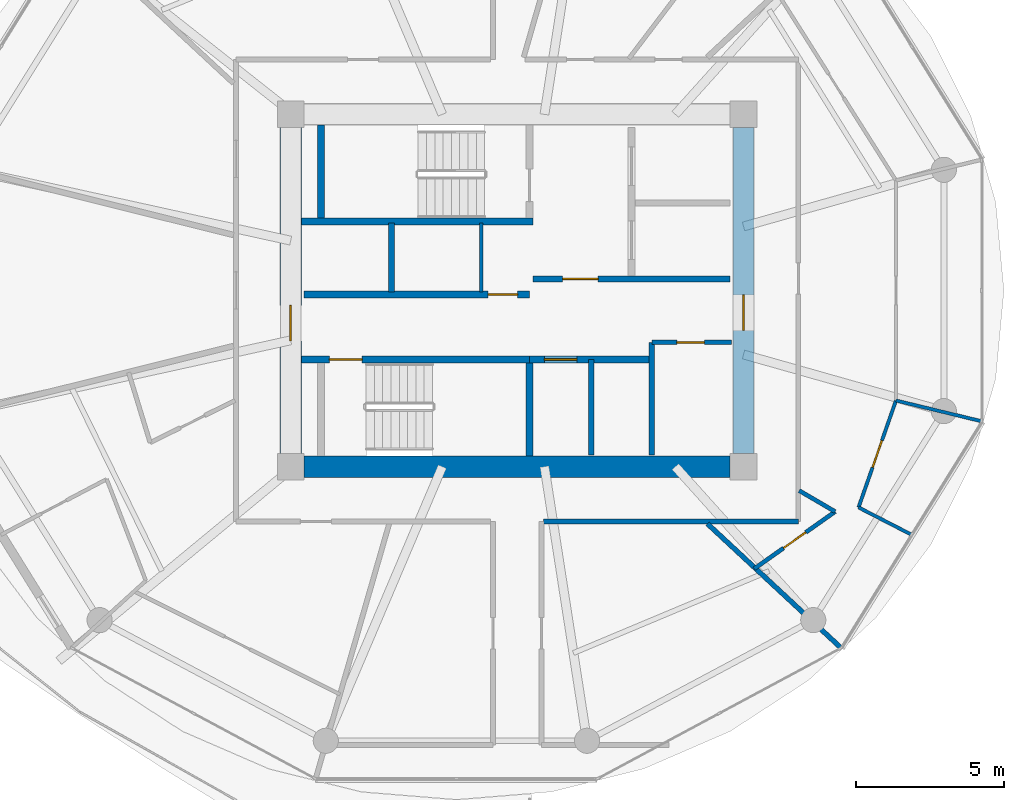
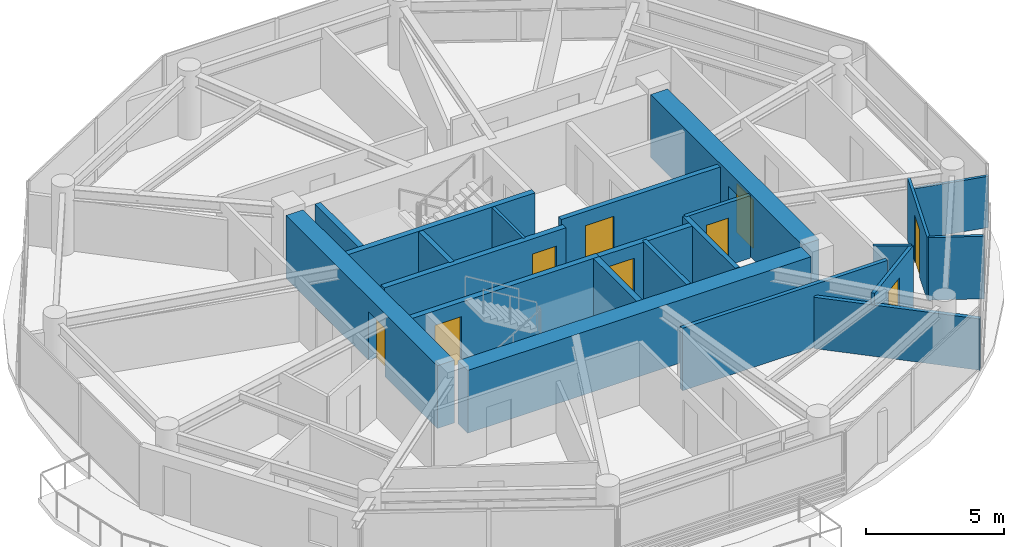
# One storey, part 18 of 23: 22 walls, 9 doors, 9 openings.
"""IFC4 building model written with IfcOpenShell, lengths in metres."""

from ifc_helpers import new_model, si_unit, direction, frame, frame_2d, origin, place, context, subcontext, project, spatial, rectangle, extrude, source, transform, mapped, material, layer, layer_set, type_object, type_shapes, element, fill, save


model = new_model("IFC4")

# Units and contexts
model_context = context("Model", 3, precision=1e-05, world=origin(), true_north=direction((0.0, 1.0)))
body_context = subcontext(model_context, "Body", "Model", "MODEL_VIEW")
ifc_project = project(units=[si_unit("LENGTHUNIT", "METRE"), si_unit("AREAUNIT", "SQUARE_METRE"), si_unit("VOLUMEUNIT", "CUBIC_METRE"), si_unit("PLANEANGLEUNIT", "RADIAN"), si_unit("MASSUNIT", "GRAM", prefix="KILO")], contexts=[model_context])

# Site, building, storey
site_placement = place(None, origin())
site = spatial("IfcSite", under=ifc_project, at=site_placement, CompositionType="ELEMENT")
building_placement = place(site_placement, origin())
building = spatial("IfcBuilding", under=site, at=building_placement, Name="Norrkilde Senior Care Towers", CompositionType="ELEMENT")
storey_placement = place(building_placement, frame((0.0, 0.0, 81.0)))
storey = spatial("IfcBuildingStorey", under=building, at=storey_placement, Name="L24", CompositionType="ELEMENT", Elevation=81.0)

# Wall
ifc_material_1 = material(Name="Concrete C60/75", Category="concrete")
ifc_layer_1 = layer(ifc_material_1, 0.719970703125)
ifc_layer_set_1 = layer_set([ifc_layer_1], Name="Concrete C60/75")
wall_type_1 = type_object("IfcWallType", Name="Core Shear Wall Z2 720", PredefinedType="SHEAR", material=ifc_layer_set_1)
shared_shape_1 = source(origin(), body_context, "Body", "SweptSolid", [
    extrude(rectangle(XDim=14.39990234375, YDim=0.719970703125, at=frame_2d((7.199951171875, 0.0))), origin(), (0.0, 0.0, 1.0), 2.7900390625),
])
wall_1_placement = place(storey_placement, frame((35.199951171875, -5.949951171875, 0.0), z_axis=(0.0, 0.0, 1.0), x_axis=(-1.0, 0.0, 0.0)))
element("IfcWall", 1, at=wall_1_placement, inside=storey, type_object=wall_type_1, Name="L24 Core E South Shear Wall", PredefinedType="SHEAR", context=body_context, shape_type="MappedRepresentation", body=[
    mapped(shared_shape_1, transform((0.0, 0.0, 0.0), x_axis=(1.0, 0.0, 0.0), y_axis=(0.0, 1.0, 0.0), z_axis=(0.0, 0.0, 1.0), scale=1.0)),
])

# Wall, opening, door
shared_shape_2 = source(origin(), body_context, "Body", "SweptSolid", [
    extrude(rectangle(XDim=11.0, YDim=0.719970703125, at=frame_2d((5.5, 0.0))), origin(), (0.0, 0.0, 1.0), 2.7900390625),
])
type_shapes(wall_type_1, [shared_shape_1, shared_shape_2])
wall_2_placement = place(storey_placement, frame((20.35009765625, -5.5, 0.0), z_axis=(0.0, 0.0, 1.0), x_axis=(0.0, 1.0, 0.0)))
wall_2 = element("IfcWall", 2, at=wall_2_placement, inside=storey, type_object=wall_type_1, Name="L24 Core E West Shear Wall", PredefinedType="SHEAR", context=body_context, shape_type="MappedRepresentation", body=[
    mapped(shared_shape_2, transform((0.0, 0.0, 0.0), x_axis=(1.0, 0.0, 0.0), y_axis=(0.0, 1.0, 0.0), z_axis=(0.0, 0.0, 1.0), scale=1.0)),
])
opening_1_placement = place(wall_2_placement, frame((3.800048828125, 0.0, 0.0)))
opening_1 = element("IfcOpeningElement", 3, at=opening_1_placement, cuts=wall_2, Name="Opening D-04", PredefinedType="OPENING", context=body_context, shape_type="SweptSolid", body=[
    extrude(rectangle(XDim=1.199951171875, YDim=2.14990234375, at=frame_2d((0.60009765625, 1.074951171875))), frame((0.0, 0.369873046875, 0.0), z_axis=(0.0, -1.0, 0.0), x_axis=(1.0, 0.0, 0.0)), (0.0, 0.0, 1.0), 0.739990234375),
])
ifc_material_2 = material(Name="Galvanised Painted Steel", Category="steel")
door_type_1 = type_object("IfcDoorType", Name="Firefighting Lobby Fire Door 1200x2150", OperationType="NOTDEFINED", PredefinedType="DOOR", material=ifc_material_2)
shared_shape_3 = source(origin(), body_context, "Body", "SweptSolid", [
    extrude(rectangle(XDim=1.199951171875, YDim=2.14990234375, at=frame_2d((0.60009765625, 1.074951171875))), frame((0.0, 0.02490234375, 0.0), z_axis=(0.0, -1.0, 0.0), x_axis=(1.0, 0.0, 0.0)), (0.0, 0.0, 1.0), 0.050048828125),
])
type_shapes(door_type_1, [shared_shape_3])
door_1_placement = place(opening_1_placement, frame((1.199951171875, 0.0, 0.0), z_axis=(0.0, 0.0, 1.0), x_axis=(-1.0, 0.0, 0.0)))
door_1 = element("IfcDoor", 4, at=door_1_placement, inside=storey, type_object=door_type_1, Name="L24 Core E West Portal Door", OperationType="SINGLE_SWING_LEFT", OverallHeight=2.14990234375, OverallWidth=1.199951171875, PredefinedType="DOOR", context=body_context, shape_type="MappedRepresentation", body=[
    mapped(shared_shape_3, transform((0.0, 0.0, 0.0), x_axis=(1.0, 0.0, 0.0), y_axis=(0.0, 1.0, 0.0), z_axis=(0.0, 0.0, 1.0), scale=1.0)),
])
fill(opening_1, door_1)

wall_3_placement = place(storey_placement, frame((35.64990234375, 5.5, 0.0), z_axis=(0.0, 0.0, 1.0), x_axis=(0.0, -1.0, 0.0)))
wall_3 = element("IfcWall", 5, at=wall_3_placement, inside=storey, type_object=wall_type_1, Name="L24 Core E East Shear Wall", PredefinedType="SHEAR", context=body_context, shape_type="MappedRepresentation", body=[
    mapped(shared_shape_2, transform((0.0, 0.0, 0.0), x_axis=(1.0, 0.0, 0.0), y_axis=(0.0, 1.0, 0.0), z_axis=(0.0, 0.0, 1.0), scale=1.0)),
])
opening_2_placement = place(wall_3_placement, frame((5.64990234375, 0.0, 0.0)))
opening_2 = element("IfcOpeningElement", 6, at=opening_2_placement, cuts=wall_3, Name="Opening D-04", PredefinedType="OPENING", context=body_context, shape_type="SweptSolid", body=[
    extrude(rectangle(XDim=1.199951171875, YDim=2.14990234375, at=frame_2d((0.60009765625, 1.074951171875))), frame((0.0, 0.369873046875, 0.0), z_axis=(0.0, -1.0, 0.0), x_axis=(1.0, 0.0, 0.0)), (0.0, 0.0, 1.0), 0.739990234375),
])
door_2_placement = place(opening_2_placement, frame((1.199951171875, 0.0, 0.0), z_axis=(0.0, 0.0, 1.0), x_axis=(-1.0, 0.0, 0.0)))
door_2 = element("IfcDoor", 7, at=door_2_placement, inside=storey, type_object=door_type_1, Name="L24 Core E East Portal Door", OperationType="SINGLE_SWING_RIGHT", OverallHeight=2.14990234375, OverallWidth=1.199951171875, PredefinedType="DOOR", context=body_context, shape_type="MappedRepresentation", body=[
    mapped(shared_shape_3, transform((0.0, 0.0, 0.0), x_axis=(1.0, 0.0, 0.0), y_axis=(0.0, 1.0, 0.0), z_axis=(0.0, 0.0, 1.0), scale=1.0)),
])
fill(opening_2, door_2)

ifc_material_3 = material(Name="Concrete C45/55", Category="concrete")
ifc_layer_2 = layer(ifc_material_3, 0.2099609375)
ifc_layer_set_2 = layer_set([ifc_layer_2], Name="Concrete C45/55")
wall_type_2 = type_object("IfcWallType", Name="Firefighting Lobby Wall 210", PredefinedType="PARTITIONING", material=ifc_layer_set_2)
shared_shape_4 = source(origin(), body_context, "Body", "SweptSolid", [
    extrude(rectangle(XDim=6.659912109375, YDim=0.2099609375, at=frame_2d((3.330078125, 0.0))), origin(), (0.0, 0.0, 1.0), 2.77490234375),
])
type_shapes(wall_type_2, [shared_shape_4])
wall_4_placement = place(storey_placement, frame((28.5400390625, 0.389892578125, 0.0), z_axis=(0.0, 0.0, 1.0), x_axis=(1.0, 0.0, 0.0)))
wall_4 = element("IfcWall", 8, at=wall_4_placement, inside=storey, type_object=wall_type_2, Name="WL-INT-L24-E-FFLS", PredefinedType="PARTITIONING", context=body_context, shape_type="MappedRepresentation", body=[
    mapped(shared_shape_4, transform((0.0, 0.0, 0.0), x_axis=(1.0, 0.0, 0.0), y_axis=(0.0, 1.0, 0.0), z_axis=(0.0, 0.0, 1.0), scale=1.0)),
])
opening_3_placement = place(wall_4_placement, frame((1.0, 0.0, 0.0)))
opening_3 = element("IfcOpeningElement", 9, at=opening_3_placement, cuts=wall_4, Name="Opening D-04", PredefinedType="OPENING", context=body_context, shape_type="SweptSolid", body=[
    extrude(rectangle(XDim=1.199951171875, YDim=2.14990234375, at=frame_2d((0.60009765625, 1.074951171875))), frame((0.0, 0.114990234375, 0.0), z_axis=(0.0, -1.0, 0.0), x_axis=(1.0, 0.0, 0.0)), (0.0, 0.0, 1.0), 0.22998046875),
])
door_3_placement = place(opening_3_placement, frame((1.199951171875, 0.0, 0.0), z_axis=(0.0, 0.0, 1.0), x_axis=(-1.0, 0.0, 0.0)))
door_3 = element("IfcDoor", 10, at=door_3_placement, inside=storey, type_object=door_type_1, Name="L24 Firefighting Lobby E Door", OperationType="SINGLE_SWING_LEFT", OverallHeight=2.14990234375, OverallWidth=1.199951171875, PredefinedType="DOOR", context=body_context, shape_type="MappedRepresentation", body=[
    mapped(shared_shape_3, transform((0.0, 0.0, 0.0), x_axis=(1.0, 0.0, 0.0), y_axis=(0.0, 1.0, 0.0), z_axis=(0.0, 0.0, 1.0), scale=1.0)),
])
fill(opening_3, door_3)

ifc_layer_3 = layer(ifc_material_3, 0.239990234375)
ifc_layer_set_3 = layer_set([ifc_layer_3], Name="Concrete C45/55")
wall_type_3 = type_object("IfcWallType", Name="Lift and Plant Rated Enclosure Partition 240", PredefinedType="PARTITIONING", material=ifc_layer_set_3)
shared_shape_5 = source(origin(), body_context, "Body", "SweptSolid", [
    extrude(rectangle(XDim=7.619873046875, YDim=0.239990234375, at=frame_2d((3.81005859375, 0.0))), origin(), (0.0, 0.0, 1.0), 2.77490234375),
])
wall_5_placement = place(storey_placement, frame((20.800048828125, -0.1298828125, 0.0), z_axis=(0.0, 0.0, 1.0), x_axis=(1.0, 0.0, 0.0)))
wall_5 = element("IfcWall", 11, at=wall_5_placement, inside=storey, type_object=wall_type_3, Name="WL-INT-L24-E-PKAS", PredefinedType="PARTITIONING", context=body_context, shape_type="MappedRepresentation", body=[
    mapped(shared_shape_5, transform((0.0, 0.0, 0.0), x_axis=(1.0, 0.0, 0.0), y_axis=(0.0, 1.0, 0.0), z_axis=(0.0, 0.0, 1.0), scale=1.0)),
])
opening_4_placement = place(wall_5_placement, frame((6.219970703125, 0.0, 0.0)))
opening_4 = element("IfcOpeningElement", 12, at=opening_4_placement, cuts=wall_5, Name="Opening D-10", PredefinedType="OPENING", context=body_context, shape_type="SweptSolid", body=[
    extrude(rectangle(XDim=1.0, YDim=2.10009765625, at=frame_2d((0.5, 1.050048828125))), frame((0.0, 0.1298828125, 0.0), z_axis=(0.0, -1.0, 0.0), x_axis=(1.0, 0.0, 0.0)), (0.0, 0.0, 1.0), 0.260009765625),
])
door_type_2 = type_object("IfcDoorType", Name="Plant and Riser Rated Door 1000x2100", OperationType="NOTDEFINED", PredefinedType="DOOR", material=ifc_material_2)
shared_shape_6 = source(origin(), body_context, "Body", "SweptSolid", [
    extrude(rectangle(XDim=1.0, YDim=2.10009765625, at=frame_2d((0.5, 1.050048828125))), frame((0.0, 0.02490234375, 0.0), z_axis=(0.0, -1.0, 0.0), x_axis=(1.0, 0.0, 0.0)), (0.0, 0.0, 1.0), 0.050048828125),
])
type_shapes(door_type_2, [shared_shape_6])
door_4_placement = place(opening_4_placement, frame((1.0, 0.0, 0.0), z_axis=(0.0, 0.0, 1.0), x_axis=(-1.0, 0.0, 0.0)))
door_4 = element("IfcDoor", 13, at=door_4_placement, inside=storey, type_object=door_type_2, Name="L24 Electrical Riser E Door", OperationType="SINGLE_SWING_LEFT", OverallHeight=2.10009765625, OverallWidth=1.0, PredefinedType="DOOR", context=body_context, shape_type="MappedRepresentation", body=[
    mapped(shared_shape_6, transform((0.0, 0.0, 0.0), x_axis=(1.0, 0.0, 0.0), y_axis=(0.0, 1.0, 0.0), z_axis=(0.0, 0.0, 1.0), scale=1.0)),
])
fill(opening_4, door_4)

# Walls
ifc_material_4 = material(Name="Gypsum Acoustic Board")
ifc_layer_4 = layer(ifc_material_4, 0.114990234375)
ifc_layer_set_4 = layer_set([ifc_layer_4], Name="Gypsum Acoustic Board")
wall_type_4 = type_object("IfcWallType", Name="Internal Room Partition 115", PredefinedType="PARTITIONING", material=ifc_layer_set_4)
shared_shape_7 = source(origin(), body_context, "Body", "SweptSolid", [
    extrude(rectangle(XDim=2.330078125, YDim=0.114990234375, at=frame_2d((1.1650390625, 0.0))), origin(), (0.0, 0.0, 1.0), 2.77490234375),
])
wall_6_placement = place(storey_placement, frame((26.7900390625, -0.050048828125, 0.0), z_axis=(0.0, 0.0, 1.0), x_axis=(0.0, 1.0, 0.0)))
element("IfcWall", 14, at=wall_6_placement, inside=storey, type_object=wall_type_4, Name="WL-INT-L24-E-RISW", PredefinedType="PARTITIONING", context=body_context, shape_type="MappedRepresentation", body=[
    mapped(shared_shape_7, transform((0.0, 0.0, 0.0), x_axis=(1.0, 0.0, 0.0), y_axis=(0.0, 1.0, 0.0), z_axis=(0.0, 0.0, 1.0), scale=1.0)),
])
ifc_layer_5 = layer(ifc_material_3, 0.199951171875)
ifc_layer_set_5 = layer_set([ifc_layer_5], Name="Concrete C45/55")
wall_type_5 = type_object("IfcWallType", Name="Shaft Division and Plant Partition 200", PredefinedType="PARTITIONING", material=ifc_layer_set_5)
shared_shape_8 = source(origin(), body_context, "Body", "SweptSolid", [
    extrude(rectangle(XDim=2.330078125, YDim=0.199951171875, at=frame_2d((1.1650390625, 0.0))), origin(), (0.0, 0.0, 1.0), 2.77490234375),
])
wall_7_placement = place(storey_placement, frame((23.75, -0.050048828125, 0.0), z_axis=(0.0, 0.0, 1.0), x_axis=(0.0, 1.0, 0.0)))
element("IfcWall", 15, at=wall_7_placement, inside=storey, type_object=wall_type_5, Name="WL-INT-L24-E-PL12", PredefinedType="PARTITIONING", context=body_context, shape_type="MappedRepresentation", body=[
    mapped(shared_shape_8, transform((0.0, 0.0, 0.0), x_axis=(1.0, 0.0, 0.0), y_axis=(0.0, 1.0, 0.0), z_axis=(0.0, 0.0, 1.0), scale=1.0)),
])
shared_shape_9 = source(origin(), body_context, "Body", "SweptSolid", [
    extrude(rectangle(XDim=3.800048828125, YDim=0.199951171875, at=frame_2d((1.89990234375, 0.0))), origin(), (0.0, 0.0, 1.0), 2.77490234375),
])
type_shapes(wall_type_5, [shared_shape_8, shared_shape_9])
wall_8_placement = place(storey_placement, frame((32.550048828125, -5.550048828125, 0.0), z_axis=(0.0, 0.0, 1.0), x_axis=(0.0, 1.0, 0.0)))
element("IfcWall", 16, at=wall_8_placement, inside=storey, type_object=wall_type_5, Name="WL-INT-L24-E-PKBE", PredefinedType="PARTITIONING", context=body_context, shape_type="MappedRepresentation", body=[
    mapped(shared_shape_9, transform((0.0, 0.0, 0.0), x_axis=(1.0, 0.0, 0.0), y_axis=(0.0, 1.0, 0.0), z_axis=(0.0, 0.0, 1.0), scale=1.0)),
])

# Wall, opening, door
shared_shape_10 = source(origin(), body_context, "Body", "SweptSolid", [
    extrude(rectangle(XDim=4.130126953125, YDim=0.239990234375, at=frame_2d((2.06494140625, 0.0))), origin(), (0.0, 0.0, 1.0), 2.77490234375),
])
type_shapes(wall_type_3, [shared_shape_5, shared_shape_10])
wall_9_placement = place(storey_placement, frame((28.419921875, -2.330078125, 0.0), z_axis=(0.0, 0.0, 1.0), x_axis=(1.0, 0.0, 0.0)))
wall_9 = element("IfcWall", 17, at=wall_9_placement, inside=storey, type_object=wall_type_3, Name="WL-INT-L24-E-PKBN", PredefinedType="PARTITIONING", context=body_context, shape_type="MappedRepresentation", body=[
    mapped(shared_shape_10, transform((0.0, 0.0, 0.0), x_axis=(1.0, 0.0, 0.0), y_axis=(0.0, 1.0, 0.0), z_axis=(0.0, 0.0, 1.0), scale=1.0)),
])
opening_5_placement = place(wall_9_placement, frame((0.5, 0.0, 0.0)))
opening_5 = element("IfcOpeningElement", 18, at=opening_5_placement, cuts=wall_9, Name="Opening LD-01", PredefinedType="OPENING", context=body_context, shape_type="SweptSolid", body=[
    extrude(rectangle(XDim=1.10009765625, YDim=2.199951171875, at=frame_2d((0.550048828125, 1.10009765625))), frame((0.0, 0.1298828125, 0.0), z_axis=(0.0, -1.0, 0.0), x_axis=(1.0, 0.0, 0.0)), (0.0, 0.0, 1.0), 0.260009765625),
])
ifc_material_5 = material(Name="Stainless Steel", Category="steel")
door_type_3 = type_object("IfcDoorType", Name="Lift Landing Sliding Door 1100x2200", OperationType="NOTDEFINED", PredefinedType="DOOR", material=ifc_material_5)
shared_shape_11 = source(origin(), body_context, "Body", "SweptSolid", [
    extrude(rectangle(XDim=1.10009765625, YDim=2.199951171875, at=frame_2d((0.550048828125, 1.10009765625))), frame((0.0, 0.02490234375, 0.0), z_axis=(0.0, -1.0, 0.0), x_axis=(1.0, 0.0, 0.0)), (0.0, 0.0, 1.0), 0.050048828125),
])
type_shapes(door_type_3, [shared_shape_11])
door_5_placement = place(opening_5_placement, frame((1.10009765625, 0.0, 0.0), z_axis=(0.0, 0.0, 1.0), x_axis=(-1.0, 0.0, 0.0)))
door_5 = element("IfcDoor", 19, at=door_5_placement, inside=storey, type_object=door_type_3, Name="L24 Passenger Lift E3 Landing Door", OperationType="SLIDING_TO_LEFT", OverallHeight=2.199951171875, OverallWidth=1.10009765625, PredefinedType="DOOR", context=body_context, shape_type="MappedRepresentation", body=[
    mapped(shared_shape_11, transform((0.0, 0.0, 0.0), x_axis=(1.0, 0.0, 0.0), y_axis=(0.0, 1.0, 0.0), z_axis=(0.0, 0.0, 1.0), scale=1.0)),
])
fill(opening_5, door_5)

# Wall
ifc_layer_6 = layer(ifc_material_3, 0.179931640625)
ifc_layer_set_6 = layer_set([ifc_layer_6], Name="Concrete C45/55")
wall_type_6 = type_object("IfcWallType", Name="Hoistway Division Rated Partition 180", PredefinedType="PARTITIONING", material=ifc_layer_set_6)
shared_shape_12 = source(origin(), body_context, "Body", "SweptSolid", [
    extrude(rectangle(XDim=3.219970703125, YDim=0.179931640625, at=frame_2d((1.60986328125, 0.0))), origin(), (0.0, 0.0, 1.0), 2.77490234375),
])
type_shapes(wall_type_6, [shared_shape_12])
wall_10_placement = place(storey_placement, frame((30.5, -5.550048828125, 0.0), z_axis=(0.0, 0.0, 1.0), x_axis=(0.0, 1.0, 0.0)))
element("IfcWall", 20, at=wall_10_placement, inside=storey, type_object=wall_type_6, Name="WL-INT-L24-E-PL34", PredefinedType="PARTITIONING", context=body_context, shape_type="MappedRepresentation", body=[
    mapped(shared_shape_12, transform((0.0, 0.0, 0.0), x_axis=(1.0, 0.0, 0.0), y_axis=(0.0, 1.0, 0.0), z_axis=(0.0, 0.0, 1.0), scale=1.0)),
])

# Wall, opening, door
ifc_layer_7 = layer(ifc_material_4, 0.1650390625)
ifc_layer_set_7 = layer_set([ifc_layer_7], Name="Gypsum Acoustic Board")
wall_type_7 = type_object("IfcWallType", Name="Corridor Rated Partition 165", PredefinedType="PARTITIONING", material=ifc_layer_set_7)
shared_shape_13 = source(origin(), body_context, "Body", "SweptSolid", [
    extrude(rectangle(XDim=2.699951171875, YDim=0.1650390625, at=frame_2d((1.35009765625, 0.0))), origin(), (0.0, 0.0, 1.0), 2.77490234375),
])
wall_11_placement = place(storey_placement, frame((32.550048828125, -1.75, 0.0), z_axis=(0.0, 0.0, 1.0), x_axis=(1.0, 0.0, 0.0)))
wall_11 = element("IfcWall", 21, at=wall_11_placement, inside=storey, type_object=wall_type_7, Name="WL-INT-L24-E-CSN", PredefinedType="PARTITIONING", context=body_context, shape_type="MappedRepresentation", body=[
    mapped(shared_shape_13, transform((0.0, 0.0, 0.0), x_axis=(1.0, 0.0, 0.0), y_axis=(0.0, 1.0, 0.0), z_axis=(0.0, 0.0, 1.0), scale=1.0)),
])
opening_6_placement = place(wall_11_placement, frame((0.85009765625, 0.0, 0.0)))
opening_6 = element("IfcOpeningElement", 22, at=opening_6_placement, cuts=wall_11, Name="Opening D-12", PredefinedType="OPENING", context=body_context, shape_type="SweptSolid", body=[
    extrude(rectangle(XDim=0.925048828125, YDim=2.10009765625, at=frame_2d((0.46240234375, 1.050048828125))), frame((0.0, 0.092529296875, 0.0), z_axis=(0.0, -1.0, 0.0), x_axis=(1.0, 0.0, 0.0)), (0.0, 0.0, 1.0), 0.18505859375),
])
door_type_4 = type_object("IfcDoorType", Name="Core Wet Room Rated Door 925x2100", OperationType="NOTDEFINED", PredefinedType="DOOR", material=ifc_material_2)
shared_shape_14 = source(origin(), body_context, "Body", "SweptSolid", [
    extrude(rectangle(XDim=0.925048828125, YDim=2.10009765625, at=frame_2d((0.46240234375, 1.050048828125))), frame((0.0, 0.02490234375, 0.0), z_axis=(0.0, -1.0, 0.0), x_axis=(1.0, 0.0, 0.0)), (0.0, 0.0, 1.0), 0.050048828125),
])
type_shapes(door_type_4, [shared_shape_14])
door_6_placement = place(opening_6_placement, origin())
door_6 = element("IfcDoor", 23, at=door_6_placement, inside=storey, type_object=door_type_4, Name="L24 Core Utility E Door", OperationType="SINGLE_SWING_LEFT", OverallHeight=2.10009765625, OverallWidth=0.925048828125, PredefinedType="DOOR", context=body_context, shape_type="MappedRepresentation", body=[
    mapped(shared_shape_14, transform((0.0, 0.0, 0.0), x_axis=(1.0, 0.0, 0.0), y_axis=(0.0, 1.0, 0.0), z_axis=(0.0, 0.0, 1.0), scale=1.0)),
])
fill(opening_6, door_6)

# Wall
ifc_layer_8 = layer(ifc_material_3, 0.239990234375)
ifc_layer_set_8 = layer_set([ifc_layer_8], Name="Concrete C45/55")
wall_type_8 = type_object("IfcWallType", Name="Shaft and Stair Enclosure Wall 240", PredefinedType="PARTITIONING", material=ifc_layer_set_8)
shared_shape_15 = source(origin(), body_context, "Body", "SweptSolid", [
    extrude(rectangle(XDim=7.830078125, YDim=0.239990234375, at=frame_2d((3.9150390625, 0.0))), origin(), (0.0, 0.0, 1.0), 2.7900390625),
])
wall_12_placement = place(storey_placement, frame((20.7099609375, 2.330078125, 0.0), z_axis=(0.0, 0.0, 1.0), x_axis=(1.0, 0.0, 0.0)))
element("IfcWall", 24, at=wall_12_placement, inside=storey, type_object=wall_type_8, Name="WL-INT-L24-E-ST1S", PredefinedType="PARTITIONING", context=body_context, shape_type="MappedRepresentation", body=[
    mapped(shared_shape_15, transform((0.0, 0.0, 0.0), x_axis=(1.0, 0.0, 0.0), y_axis=(0.0, 1.0, 0.0), z_axis=(0.0, 0.0, 1.0), scale=1.0)),
])

# Wall, opening, door
wall_13_placement = place(storey_placement, frame((20.7099609375, -2.330078125, 0.0), z_axis=(0.0, 0.0, 1.0), x_axis=(1.0, 0.0, 0.0)))
wall_13 = element("IfcWall", 25, at=wall_13_placement, inside=storey, type_object=wall_type_8, Name="WL-INT-L24-E-ST2N", PredefinedType="PARTITIONING", context=body_context, shape_type="MappedRepresentation", body=[
    mapped(shared_shape_15, transform((0.0, 0.0, 0.0), x_axis=(1.0, 0.0, 0.0), y_axis=(0.0, 1.0, 0.0), z_axis=(0.0, 0.0, 1.0), scale=1.0)),
])
opening_7_placement = place(wall_13_placement, frame((0.949951171875, 0.0, 0.0)))
opening_7 = element("IfcOpeningElement", 26, at=opening_7_placement, cuts=wall_13, Name="Opening D-03", PredefinedType="OPENING", context=body_context, shape_type="SweptSolid", body=[
    extrude(rectangle(XDim=1.10009765625, YDim=2.14990234375, at=frame_2d((0.550048828125, 1.074951171875))), frame((0.0, 0.1298828125, 0.0), z_axis=(0.0, -1.0, 0.0), x_axis=(1.0, 0.0, 0.0)), (0.0, 0.0, 1.0), 0.260009765625),
])
door_type_5 = type_object("IfcDoorType", Name="Stairwell Protected Fire Door 1100x2150", OperationType="NOTDEFINED", PredefinedType="DOOR", material=ifc_material_2)
shared_shape_16 = source(origin(), body_context, "Body", "SweptSolid", [
    extrude(rectangle(XDim=1.10009765625, YDim=2.14990234375, at=frame_2d((0.550048828125, 1.074951171875))), frame((0.0, 0.02490234375, 0.0), z_axis=(0.0, -1.0, 0.0), x_axis=(1.0, 0.0, 0.0)), (0.0, 0.0, 1.0), 0.050048828125),
])
type_shapes(door_type_5, [shared_shape_16])
door_7_placement = place(opening_7_placement, frame((1.10009765625, 0.0, 0.0), z_axis=(0.0, 0.0, 1.0), x_axis=(-1.0, 0.0, 0.0)))
door_7 = element("IfcDoor", 27, at=door_7_placement, inside=storey, type_object=door_type_5, Name="L24 Stair E2 Fire Door", OperationType="SINGLE_SWING_RIGHT", OverallHeight=2.14990234375, OverallWidth=1.10009765625, PredefinedType="DOOR", context=body_context, shape_type="MappedRepresentation", body=[
    mapped(shared_shape_16, transform((0.0, 0.0, 0.0), x_axis=(1.0, 0.0, 0.0), y_axis=(0.0, 1.0, 0.0), z_axis=(0.0, 0.0, 1.0), scale=1.0)),
])
fill(opening_7, door_7)

# Walls
shared_shape_17 = source(origin(), body_context, "Body", "SweptSolid", [
    extrude(rectangle(XDim=3.14013671875, YDim=0.239990234375, at=frame_2d((1.570068359375, 0.0))), origin(), (0.0, 0.0, 1.0), 2.7900390625),
])
type_shapes(wall_type_8, [shared_shape_15, shared_shape_17])
for number, where, z_axis, x_axis, name in (
    (28, (21.3798828125, 2.449951171875, 0.0), (0.0, 0.0, 1.0), (0.0, 1.0, 0.0), "WL-INT-L24-E-ST1W"),
    (29, (28.419921875, -5.590087890625, 0.0), (0.0, 0.0, 1.0), (0.0, 1.0, 0.0), "WL-INT-L24-E-ST2E"),
):
    element("IfcWall", number, at=place(storey_placement, frame(where, z_axis=z_axis, x_axis=x_axis)), inside=storey, type_object=wall_type_8, Name=name, PredefinedType="PARTITIONING", context=body_context, shape_type="MappedRepresentation", body=[
        mapped(shared_shape_17, transform((0.0, 0.0, 0.0), x_axis=(1.0, 0.0, 0.0), y_axis=(0.0, 1.0, 0.0), z_axis=(0.0, 0.0, 1.0), scale=1.0)),
    ])
shared_shape_18 = source(origin(), body_context, "Body", "SweptSolid", [
    extrude(rectangle(XDim=8.60009765625, YDim=0.1650390625, at=frame_2d((4.300048828125, 0.0))), origin(), (0.0, 0.0, 1.0), 2.77490234375),
])
wall_14_placement = place(storey_placement, frame((37.5, -7.800048828125, 0.0), z_axis=(0.0, 0.0, 1.0), x_axis=(-1.0, 0.0, 0.0)))
element("IfcWall", 30, at=wall_14_placement, inside=storey, type_object=wall_type_7, Name="WL-INT-L24-E-CRW-S-0", PredefinedType="PARTITIONING", context=body_context, shape_type="MappedRepresentation", body=[
    mapped(shared_shape_18, transform((0.0, 0.0, 0.0), x_axis=(1.0, 0.0, 0.0), y_axis=(0.0, 1.0, 0.0), z_axis=(0.0, 0.0, 1.0), scale=1.0)),
])
shared_shape_19 = source(origin(), body_context, "Body", "SweptSolid", [
    extrude(rectangle(XDim=6.186767578125, YDim=0.1650390625, at=frame_2d((3.09326171875, 0.0))), origin(), (0.0, 0.0, 1.0), 2.27490234375),
])
type_shapes(wall_type_7, [shared_shape_13, shared_shape_18, shared_shape_19])
wall_15_placement = place(storey_placement, frame((34.428955078125, -7.8798828125, 0.0), z_axis=(0.0, 0.0, 1.0), x_axis=(0.732501077882, -0.680765870841, 0.0)))
element("IfcWall", 31, at=wall_15_placement, inside=storey, type_object=wall_type_7, Name="WL-INT-L24-E-DEM-10-0", PredefinedType="PARTITIONING", context=body_context, shape_type="MappedRepresentation", body=[
    mapped(shared_shape_19, transform((0.0, 0.0, 0.0), x_axis=(1.0, 0.0, 0.0), y_axis=(0.0, 1.0, 0.0), z_axis=(0.0, 0.0, 1.0), scale=1.0)),
])
shared_shape_20 = source(origin(), body_context, "Body", "SweptSolid", [
    extrude(rectangle(XDim=3.006103515625, YDim=0.114990234375, at=frame_2d((1.5029296875, 0.0))), origin(), (0.0, 0.0, 1.0), 2.27490234375),
])
wall_16_placement = place(storey_placement, frame((40.80126953125, -3.71875, 0.0), z_axis=(0.0, 0.0, 1.0), x_axis=(0.971949193017, -0.235190914353, 0.0)))
element("IfcWall", 32, at=wall_16_placement, inside=storey, type_object=wall_type_4, Name="WL-INT-L24-E-UBR-10-1", PredefinedType="PARTITIONING", context=body_context, shape_type="MappedRepresentation", body=[
    mapped(shared_shape_20, transform((0.0, 0.0, 0.0), x_axis=(1.0, 0.0, 0.0), y_axis=(0.0, 1.0, 0.0), z_axis=(0.0, 0.0, 1.0), scale=1.0)),
])
ifc_layer_9 = layer(ifc_material_4, 0.139892578125)
ifc_layer_set_9 = layer_set([ifc_layer_9], Name="Gypsum Acoustic Board")
wall_type_9 = type_object("IfcWallType", Name="En-suite Wet Room Wall 140", PredefinedType="PARTITIONING", material=ifc_layer_set_9)
shared_shape_21 = source(origin(), body_context, "Body", "SweptSolid", [
    extrude(rectangle(XDim=1.407470703125, YDim=0.139892578125, at=frame_2d((0.70361328125, 0.0))), origin(), (0.0, 0.0, 1.0), 2.77490234375),
])
wall_17_placement = place(storey_placement, frame((37.530029296875, -6.761962890625, 0.0), z_axis=(0.0, 0.0, 1.0), x_axis=(0.863539718977, -0.504280828258, 0.0)))
element("IfcWall", 33, at=wall_17_placement, inside=storey, type_object=wall_type_9, Name="WL-INT-L24-E-UBTS-10", PredefinedType="PARTITIONING", context=body_context, shape_type="MappedRepresentation", body=[
    mapped(shared_shape_21, transform((0.0, 0.0, 0.0), x_axis=(1.0, 0.0, 0.0), y_axis=(0.0, 1.0, 0.0), z_axis=(0.0, 0.0, 1.0), scale=1.0)),
])

# Wall, opening, door
shared_shape_22 = source(origin(), body_context, "Body", "SweptSolid", [
    extrude(rectangle(XDim=3.346923828125, YDim=0.139892578125, at=frame_2d((1.67333984375, 0.0))), origin(), (0.0, 0.0, 1.0), 2.77490234375),
])
type_shapes(wall_type_9, [shared_shape_21, shared_shape_22])
wall_18_placement = place(storey_placement, frame((38.745361328125, -7.4716796875, 0.0), z_axis=(0.0, 0.0, 1.0), x_axis=(-0.81705680263, -0.576557179537, 0.0)))
wall_18 = element("IfcWall", 34, at=wall_18_placement, inside=storey, type_object=wall_type_9, Name="WL-INT-L24-E-UBTF-10", PredefinedType="PARTITIONING", context=body_context, shape_type="MappedRepresentation", body=[
    mapped(shared_shape_22, transform((0.0, 0.0, 0.0), x_axis=(1.0, 0.0, 0.0), y_axis=(0.0, 1.0, 0.0), z_axis=(0.0, 0.0, 1.0), scale=1.0)),
])
opening_8_placement = place(wall_18_placement, frame((1.213623046875, 0.0, 0.0)))
opening_8 = element("IfcOpeningElement", 35, at=opening_8_placement, cuts=wall_18, Name="Opening D-08", PredefinedType="OPENING", context=body_context, shape_type="SweptSolid", body=[
    extrude(rectangle(XDim=0.919921875, YDim=2.10009765625, at=frame_2d((0.4599609375, 1.050048828125))), frame((0.0, 0.079833984375, 0.0), z_axis=(0.0, -1.0, 0.0), x_axis=(1.0, 0.0, 0.0)), (0.0, 0.0, 1.0), 0.159912109375),
])
ifc_material_6 = material(Name="Nordic Ash Timber", Category="wood")
door_type_6 = type_object("IfcDoorType", Name="Accessible Wet Room Door 920x2100", OperationType="NOTDEFINED", PredefinedType="DOOR", material=ifc_material_6)
shared_shape_23 = source(origin(), body_context, "Body", "SweptSolid", [
    extrude(rectangle(XDim=0.919921875, YDim=2.10009765625, at=frame_2d((0.4599609375, 1.050048828125))), frame((0.0, 0.02490234375, 0.0), z_axis=(0.0, -1.0, 0.0), x_axis=(1.0, 0.0, 0.0)), (0.0, 0.0, 1.0), 0.050048828125),
])
type_shapes(door_type_6, [shared_shape_23])
door_8_placement = place(opening_8_placement, origin())
door_8 = element("IfcDoor", 36, at=door_8_placement, inside=storey, type_object=door_type_6, Name="Apartment 24D Bathroom Door", OperationType="SINGLE_SWING_RIGHT", OverallHeight=2.10009765625, OverallWidth=0.919921875, PredefinedType="DOOR", context=body_context, shape_type="MappedRepresentation", body=[
    mapped(shared_shape_23, transform((0.0, 0.0, 0.0), x_axis=(1.0, 0.0, 0.0), y_axis=(0.0, 1.0, 0.0), z_axis=(0.0, 0.0, 1.0), scale=1.0)),
])
fill(opening_8, door_8)

# Wall
shared_shape_24 = source(origin(), body_context, "Body", "SweptSolid", [
    extrude(rectangle(XDim=2.03125, YDim=0.114990234375, at=frame_2d((1.015625, 0.0))), origin(), (0.0, 0.0, 1.0), 2.77490234375),
])
wall_19_placement = place(storey_placement, frame((39.535400390625, -7.32958984375, 0.0), z_axis=(0.0, 0.0, 1.0), x_axis=(0.889297578836, -0.457329002226, 0.0)))
element("IfcWall", 37, at=wall_19_placement, inside=storey, type_object=wall_type_4, Name="WL-INT-L24-E-UKTS-10", PredefinedType="PARTITIONING", context=body_context, shape_type="MappedRepresentation", body=[
    mapped(shared_shape_24, transform((0.0, 0.0, 0.0), x_axis=(1.0, 0.0, 0.0), y_axis=(0.0, 1.0, 0.0), z_axis=(0.0, 0.0, 1.0), scale=1.0)),
])

# Wall, opening, door
shared_shape_25 = source(origin(), body_context, "Body", "SweptSolid", [
    extrude(rectangle(XDim=3.826171875, YDim=0.114990234375, at=frame_2d((1.9130859375, 0.0))), origin(), (0.0, 0.0, 1.0), 2.77490234375),
])
type_shapes(wall_type_4, [shared_shape_7, shared_shape_20, shared_shape_24, shared_shape_25])
wall_20_placement = place(storey_placement, frame((39.535400390625, -7.32958984375, 0.0), z_axis=(0.0, 0.0, 1.0), x_axis=(0.330452740212, 0.943822539721, 0.0)))
wall_20 = element("IfcWall", 38, at=wall_20_placement, inside=storey, type_object=wall_type_4, Name="WL-INT-L24-E-UKTF-10", PredefinedType="PARTITIONING", context=body_context, shape_type="MappedRepresentation", body=[
    mapped(shared_shape_25, transform((0.0, 0.0, 0.0), x_axis=(1.0, 0.0, 0.0), y_axis=(0.0, 1.0, 0.0), z_axis=(0.0, 0.0, 1.0), scale=1.0)),
])
opening_9_placement = place(wall_20_placement, frame((1.43798828125, 0.0, 0.0)))
opening_9 = element("IfcOpeningElement", 39, at=opening_9_placement, cuts=wall_20, Name="Opening D-07", PredefinedType="OPENING", context=body_context, shape_type="SweptSolid", body=[
    extrude(rectangle(XDim=0.949951171875, YDim=2.10009765625, at=frame_2d((0.47509765625, 1.050048828125))), frame((0.0, 0.0673828125, 0.0), z_axis=(0.0, -1.0, 0.0), x_axis=(1.0, 0.0, 0.0)), (0.0, 0.0, 1.0), 0.135009765625),
])
door_type_7 = type_object("IfcDoorType", Name="Internal Suite Bedroom Door 950x2100", OperationType="NOTDEFINED", PredefinedType="DOOR", material=ifc_material_6)
shared_shape_26 = source(origin(), body_context, "Body", "SweptSolid", [
    extrude(rectangle(XDim=0.949951171875, YDim=2.10009765625, at=frame_2d((0.47509765625, 1.050048828125))), frame((0.0, 0.02490234375, 0.0), z_axis=(0.0, -1.0, 0.0), x_axis=(1.0, 0.0, 0.0)), (0.0, 0.0, 1.0), 0.050048828125),
])
type_shapes(door_type_7, [shared_shape_26])
door_9_placement = place(opening_9_placement, frame((0.949951171875, 0.0, 0.0), z_axis=(0.0, 0.0, 1.0), x_axis=(-1.0, 0.0, 0.0)))
door_9 = element("IfcDoor", 40, at=door_9_placement, inside=storey, type_object=door_type_7, Name="Apartment 24D Kitchen Door", OperationType="SINGLE_SWING_LEFT", OverallHeight=2.10009765625, OverallWidth=0.949951171875, PredefinedType="DOOR", context=body_context, shape_type="MappedRepresentation", body=[
    mapped(shared_shape_26, transform((0.0, 0.0, 0.0), x_axis=(1.0, 0.0, 0.0), y_axis=(0.0, 1.0, 0.0), z_axis=(0.0, 0.0, 1.0), scale=1.0)),
])
fill(opening_9, door_9)

save(model, "model.ifc")
